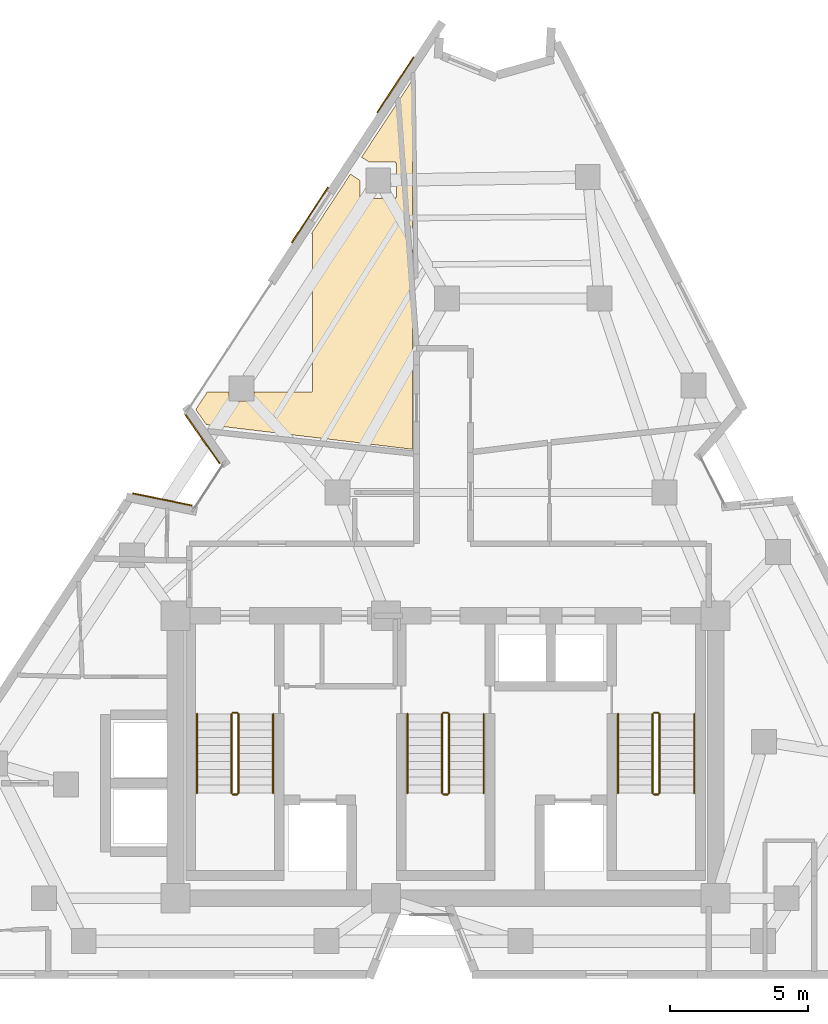
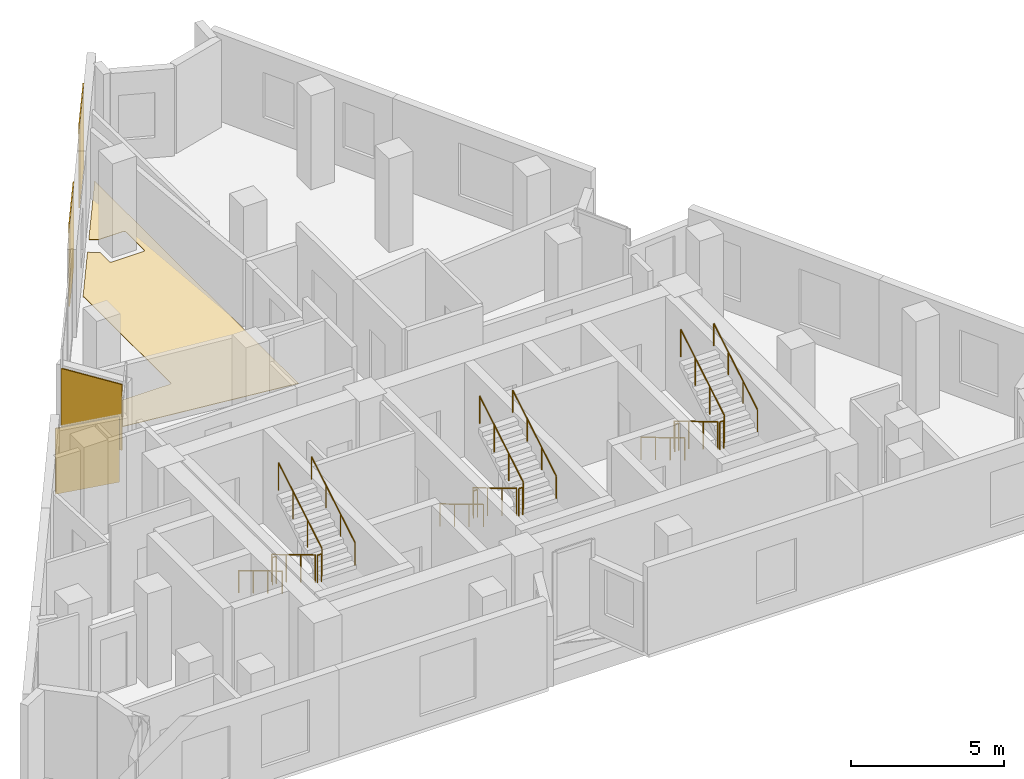
# One storey, part 8 of 8: 18 railings, 5 coverings.
"""IFC4 building model written with IfcOpenShell, lengths in metres."""

from ifc_helpers import new_model, si_unit, direction, frame, origin, origin_2d, place, context, subcontext, project, spatial, polyline, rectangle, circle, outline, extrude, material, layer, layer_set, type_object, element, save


model = new_model("IFC4")

# Units and contexts
model_context = context("Model", 3, precision=1e-05, world=origin(), true_north=direction((0.0, 1.0)))
body_context = subcontext(model_context, "Body", "Model", "MODEL_VIEW")
ifc_project = project(units=[si_unit("LENGTHUNIT", "METRE"), si_unit("AREAUNIT", "SQUARE_METRE"), si_unit("VOLUMEUNIT", "CUBIC_METRE"), si_unit("PLANEANGLEUNIT", "RADIAN"), si_unit("MASSUNIT", "GRAM", prefix="KILO")], contexts=[model_context])

# Site, building, storey
site_placement = place(None, origin())
site = spatial("IfcSite", under=ifc_project, at=site_placement, CompositionType="ELEMENT")
building_placement = place(site_placement, origin())
building = spatial("IfcBuilding", under=site, at=building_placement, Name="Almagre Mirador Tower", CompositionType="ELEMENT")
storey_placement = place(building_placement, frame((0.0, 0.0, 240.75)))
storey = spatial("IfcBuildingStorey", under=building, at=storey_placement, Name="L62", CompositionType="ELEMENT", Elevation=240.75)

# Coverings
ifc_material_1 = material(Name="Almagre terracotta architectural cladding", Category="masonry")
ifc_layer_1 = layer(ifc_material_1, 0.044921875)
ifc_layer_set_1 = layer_set([ifc_layer_1], Name="Almagre terracotta architectural cladding")
covering_type_1 = type_object("IfcCoveringType", Name="COV-CLAD-ALMAGRE", PredefinedType="CLADDING", material=ifc_layer_set_1)
covering_1_placement = place(storey_placement, frame((27.07470703125, 18.947998046875, 0.10009765625), z_axis=(0.0, 0.0, 1.0), x_axis=(0.979501484897, -0.201436940713, 0.0)))
element("IfcCovering", 1, at=covering_1_placement, inside=storey, type_object=covering_type_1, Name="L62 almagre terracotta pier cladding", PredefinedType="CLADDING", context=body_context, shape_type="SweptSolid", body=[
    extrude(rectangle(XDim=2.193115234375, YDim=0.044921875, at=origin_2d()), origin(), (0.0, 0.0, 1.0), 2.625),
])
covering_2_placement = place(storey_placement, frame((28.515625, 21.1416015625, 0.10009765625), z_axis=(0.0, 0.0, 1.0), x_axis=(-0.573890925866, 0.818931746367, 0.0)))
element("IfcCovering", 2, at=covering_2_placement, inside=storey, type_object=covering_type_1, Name="L62 almagre terracotta pier cladding", PredefinedType="CLADDING", context=body_context, shape_type="SweptSolid", body=[
    extrude(rectangle(XDim=2.194091796875, YDim=0.044921875, at=origin_2d()), origin(), (0.0, 0.0, 1.0), 2.625),
])
for number, where, z_axis, x_axis, name in (
    (3, (32.404296875, 29.21728515625, 0.10009765625), (0.0, 0.0, 1.0), (0.549051992844, 0.835788196347, 0.0), "L62 almagre terracotta pier cladding"),
    (4, (35.49267578125, 33.918212890625, 0.10009765625), (0.0, 0.0, 1.0), (0.549066580017, 0.835778613455, 0.0), "L62 almagre terracotta pier cladding"),
):
    element("IfcCovering", number, at=place(storey_placement, frame(where, z_axis=z_axis, x_axis=x_axis)), inside=storey, type_object=covering_type_1, Name=name, PredefinedType="CLADDING", context=body_context, shape_type="SweptSolid", body=[
        extrude(rectangle(XDim=2.39990234375, YDim=0.044921875, at=origin_2d()), origin(), (0.0, 0.0, 1.0), 3.300048828125),
    ])
ifc_material_2 = material(Name="Engineered white oak flooring", Category="wood")
ifc_layer_2 = layer(ifc_material_2, 0.01806640625)
ifc_layer_set_2 = layer_set([ifc_layer_2], Name="Engineered white oak flooring")
covering_type_2 = type_object("IfcCoveringType", Name="COV-FLR-OAK-18", PredefinedType="FLOORING", material=ifc_layer_set_2)
covering_3_placement = place(storey_placement, origin())
element("IfcCovering", 5, at=covering_3_placement, inside=storey, type_object=covering_type_2, Name="L62 L62 Residents Reading Gallery UH-ST finish flooring", PredefinedType="FLOORING", context=body_context, shape_type="SweptSolid", body=[
    extrude(outline(polyline([(29.47412109375, 22.820068359375), (29.47412109375, 22.493896484375), (30.384033203125, 22.493896484375), (30.384033203125, 22.820068359375), (32.469970703125, 22.820068359375), (32.469970703125, 22.830078125), (32.47998046875, 22.830078125), (32.47998046875, 22.840087890625), (32.489990234375, 22.840087890625), (32.489990234375, 28.550048828125), (32.4599609375, 28.550048828125), (32.4599609375, 28.552978515625), (33.863037109375, 30.69091796875), (34.2099609375, 30.4599609375), (34.2099609375, 29.840087890625), (34.239990234375, 29.840087890625), (34.239990234375, 29.81005859375), (35.5, 29.81005859375), (35.5, 29.840087890625), (35.530029296875, 29.840087890625), (35.530029296875, 31.10009765625), (35.5, 31.10009765625), (35.5, 31.1298828125), (34.534912109375, 31.1298828125), (34.26806640625, 31.303955078125), (34.625, 31.847900390625), (36.10009765625, 34.089111328125), (36.10009765625, 20.759033203125), (32.9580078125, 21.138916015625), (32.35791015625, 21.208984375), (28.6640625, 21.65087890625), (28.281005859375, 22.193115234375), (28.69091796875, 22.820068359375), (29.47412109375, 22.820068359375)])), origin(), (0.0, 0.0, 1.0), 0.01806640625),
])

# Railings
ifc_material_3 = material(Name="Painted galvanized steel", Category="steel")
railing_type_1 = type_object("IfcRailingType", Name="RLG-GRD-1100", PredefinedType="GUARDRAIL", material=ifc_material_3)
railing_1_placement = place(storey_placement, frame((29.574951171875, 11.199951171875, 0.17041015625)))
element("IfcRailing", 6, at=railing_1_placement, inside=storey, type_object=railing_type_1, Name="L62 ST-1 stair guard 1", PredefinedType="GUARDRAIL", context=body_context, shape_type="SweptSolid", body=[
    extrude(circle(Radius=0.02392578125, at=origin_2d()), frame((0.0, 0.0, 1.09619140625), z_axis=(0.0, -0.858199205511, 0.513316786848), x_axis=(1.0, 0.0, 0.0)), (0.0, 0.0, 1.0), 3.32080078125),
    extrude(circle(Radius=0.02099609375, at=origin_2d()), origin(), (0.0, 0.0, 1.0), 1.072021484375),
    extrude(circle(Radius=0.02099609375, at=origin_2d()), frame((0.0, -0.949951171875, 0.568115234375)), (0.0, 0.0, 1.0), 1.072021484375),
    extrude(circle(Radius=0.02099609375, at=origin_2d()), frame((0.0, -1.89990234375, 1.136474609375)), (0.0, 0.0, 1.0), 1.072021484375),
    extrude(circle(Radius=0.02099609375, at=origin_2d()), frame((0.0, -2.849853515625, 1.70458984375)), (0.0, 0.0, 1.0), 1.072021484375),
])
railing_2_placement = place(storey_placement, frame((29.625, 8.300048828125, 1.875)))
element("IfcRailing", 7, at=railing_2_placement, inside=storey, type_object=railing_type_1, Name="L62 ST-1 stair guard 2", PredefinedType="GUARDRAIL", context=body_context, shape_type="SweptSolid", body=[
    extrude(circle(Radius=0.02392578125, at=origin_2d()), frame((0.0, 0.0, 1.09619140625), z_axis=(1.0, 0.0, 0.0), x_axis=(0.0, 1.0, 0.0)), (0.0, 0.0, 1.0), 0.14990234375),
    extrude(circle(Radius=0.02099609375, at=origin_2d()), origin(), (0.0, 0.0, 1.0), 1.072021484375),
    extrude(circle(Radius=0.02099609375, at=origin_2d()), frame((0.14990234375, 0.0, 0.0)), (0.0, 0.0, 1.0), 1.072021484375),
])
railing_3_placement = place(storey_placement, frame((29.824951171875, 8.35009765625, 2.04541015625)))
element("IfcRailing", 8, at=railing_3_placement, inside=storey, type_object=railing_type_1, Name="L62 ST-1 stair guard 3", PredefinedType="GUARDRAIL", context=body_context, shape_type="SweptSolid", body=[
    extrude(circle(Radius=0.02392578125, at=origin_2d()), frame((0.0, 0.0, 1.09619140625), z_axis=(0.0, 0.858199205511, 0.513316786848), x_axis=(-1.0, 0.0, 0.0)), (0.0, 0.0, 1.0), 3.32080078125),
    extrude(circle(Radius=0.02099609375, at=origin_2d()), origin(), (0.0, 0.0, 1.0), 1.072021484375),
    extrude(circle(Radius=0.02099609375, at=origin_2d()), frame((0.0, 0.949951171875, 0.568115234375)), (0.0, 0.0, 1.0), 1.072021484375),
    extrude(circle(Radius=0.02099609375, at=origin_2d()), frame((0.0, 1.89990234375, 1.136474609375)), (0.0, 0.0, 1.0), 1.072021484375),
    extrude(circle(Radius=0.02099609375, at=origin_2d()), frame((0.0, 2.849853515625, 1.70458984375)), (0.0, 0.0, 1.0), 1.072021484375),
])
railing_4_placement = place(storey_placement, frame((29.625, 11.25, 0.0)))
element("IfcRailing", 9, at=railing_4_placement, inside=storey, type_object=railing_type_1, Name="L62 ST-1 stair guard 4", PredefinedType="GUARDRAIL", context=body_context, shape_type="SweptSolid", body=[
    extrude(circle(Radius=0.02392578125, at=origin_2d()), frame((0.0, 0.0, 1.09619140625), z_axis=(1.0, 0.0, 0.0), x_axis=(0.0, 1.0, 0.0)), (0.0, 0.0, 1.0), 0.14990234375),
    extrude(circle(Radius=0.02099609375, at=origin_2d()), origin(), (0.0, 0.0, 1.0), 1.072021484375),
    extrude(circle(Radius=0.02099609375, at=origin_2d()), frame((0.14990234375, 0.0, 0.0)), (0.0, 0.0, 1.0), 1.072021484375),
])
railing_5_placement = place(storey_placement, frame((37.175048828125, 11.199951171875, 0.17041015625)))
element("IfcRailing", 10, at=railing_5_placement, inside=storey, type_object=railing_type_1, Name="L62 ST-2 stair guard 1", PredefinedType="GUARDRAIL", context=body_context, shape_type="SweptSolid", body=[
    extrude(circle(Radius=0.02392578125, at=origin_2d()), frame((0.0, 0.0, 1.09619140625), z_axis=(0.0, -0.858199205511, 0.513316786848), x_axis=(1.0, 0.0, 0.0)), (0.0, 0.0, 1.0), 3.32080078125),
    extrude(circle(Radius=0.02099609375, at=origin_2d()), origin(), (0.0, 0.0, 1.0), 1.072021484375),
    extrude(circle(Radius=0.02099609375, at=origin_2d()), frame((0.0, -0.949951171875, 0.568115234375)), (0.0, 0.0, 1.0), 1.072021484375),
    extrude(circle(Radius=0.02099609375, at=origin_2d()), frame((0.0, -1.89990234375, 1.136474609375)), (0.0, 0.0, 1.0), 1.072021484375),
    extrude(circle(Radius=0.02099609375, at=origin_2d()), frame((0.0, -2.849853515625, 1.70458984375)), (0.0, 0.0, 1.0), 1.072021484375),
])
railing_6_placement = place(storey_placement, frame((37.22509765625, 8.300048828125, 1.875)))
element("IfcRailing", 11, at=railing_6_placement, inside=storey, type_object=railing_type_1, Name="L62 ST-2 stair guard 2", PredefinedType="GUARDRAIL", context=body_context, shape_type="SweptSolid", body=[
    extrude(circle(Radius=0.02392578125, at=origin_2d()), frame((0.0, 0.0, 1.09619140625), z_axis=(1.0, 0.0, 0.0), x_axis=(0.0, 1.0, 0.0)), (0.0, 0.0, 1.0), 0.14990234375),
    extrude(circle(Radius=0.02099609375, at=origin_2d()), origin(), (0.0, 0.0, 1.0), 1.072021484375),
    extrude(circle(Radius=0.02099609375, at=origin_2d()), frame((0.14990234375, 0.0, 0.0)), (0.0, 0.0, 1.0), 1.072021484375),
])
railing_7_placement = place(storey_placement, frame((37.425048828125, 8.35009765625, 2.04541015625)))
element("IfcRailing", 12, at=railing_7_placement, inside=storey, type_object=railing_type_1, Name="L62 ST-2 stair guard 3", PredefinedType="GUARDRAIL", context=body_context, shape_type="SweptSolid", body=[
    extrude(circle(Radius=0.02392578125, at=origin_2d()), frame((0.0, 0.0, 1.09619140625), z_axis=(0.0, 0.858199205511, 0.513316786848), x_axis=(-1.0, 0.0, 0.0)), (0.0, 0.0, 1.0), 3.32080078125),
    extrude(circle(Radius=0.02099609375, at=origin_2d()), origin(), (0.0, 0.0, 1.0), 1.072021484375),
    extrude(circle(Radius=0.02099609375, at=origin_2d()), frame((0.0, 0.949951171875, 0.568115234375)), (0.0, 0.0, 1.0), 1.072021484375),
    extrude(circle(Radius=0.02099609375, at=origin_2d()), frame((0.0, 1.89990234375, 1.136474609375)), (0.0, 0.0, 1.0), 1.072021484375),
    extrude(circle(Radius=0.02099609375, at=origin_2d()), frame((0.0, 2.849853515625, 1.70458984375)), (0.0, 0.0, 1.0), 1.072021484375),
])
railing_8_placement = place(storey_placement, frame((37.22509765625, 11.25, 0.0)))
element("IfcRailing", 13, at=railing_8_placement, inside=storey, type_object=railing_type_1, Name="L62 ST-2 stair guard 4", PredefinedType="GUARDRAIL", context=body_context, shape_type="SweptSolid", body=[
    extrude(circle(Radius=0.02392578125, at=origin_2d()), frame((0.0, 0.0, 1.09619140625), z_axis=(1.0, 0.0, 0.0), x_axis=(0.0, 1.0, 0.0)), (0.0, 0.0, 1.0), 0.14990234375),
    extrude(circle(Radius=0.02099609375, at=origin_2d()), origin(), (0.0, 0.0, 1.0), 1.072021484375),
    extrude(circle(Radius=0.02099609375, at=origin_2d()), frame((0.14990234375, 0.0, 0.0)), (0.0, 0.0, 1.0), 1.072021484375),
])
railing_9_placement = place(storey_placement, frame((44.77490234375, 11.199951171875, 0.17041015625)))
element("IfcRailing", 14, at=railing_9_placement, inside=storey, type_object=railing_type_1, Name="L62 ST-3 stair guard 1", PredefinedType="GUARDRAIL", context=body_context, shape_type="SweptSolid", body=[
    extrude(circle(Radius=0.02392578125, at=origin_2d()), frame((0.0, 0.0, 1.09619140625), z_axis=(0.0, -0.858199205511, 0.513316786848), x_axis=(1.0, 0.0, 0.0)), (0.0, 0.0, 1.0), 3.32080078125),
    extrude(circle(Radius=0.02099609375, at=origin_2d()), origin(), (0.0, 0.0, 1.0), 1.072021484375),
    extrude(circle(Radius=0.02099609375, at=origin_2d()), frame((0.0, -0.949951171875, 0.568115234375)), (0.0, 0.0, 1.0), 1.072021484375),
    extrude(circle(Radius=0.02099609375, at=origin_2d()), frame((0.0, -1.89990234375, 1.136474609375)), (0.0, 0.0, 1.0), 1.072021484375),
    extrude(circle(Radius=0.02099609375, at=origin_2d()), frame((0.0, -2.849853515625, 1.70458984375)), (0.0, 0.0, 1.0), 1.072021484375),
])
railing_10_placement = place(storey_placement, frame((44.824951171875, 8.300048828125, 1.875)))
element("IfcRailing", 15, at=railing_10_placement, inside=storey, type_object=railing_type_1, Name="L62 ST-3 stair guard 2", PredefinedType="GUARDRAIL", context=body_context, shape_type="SweptSolid", body=[
    extrude(circle(Radius=0.02392578125, at=origin_2d()), frame((0.0, 0.0, 1.09619140625), z_axis=(1.0, 0.0, 0.0), x_axis=(0.0, 1.0, 0.0)), (0.0, 0.0, 1.0), 0.150146484375),
    extrude(circle(Radius=0.02099609375, at=origin_2d()), origin(), (0.0, 0.0, 1.0), 1.072021484375),
    extrude(circle(Radius=0.02099609375, at=origin_2d()), frame((0.150146484375, 0.0, 0.0)), (0.0, 0.0, 1.0), 1.072021484375),
])
railing_11_placement = place(storey_placement, frame((45.02490234375, 8.35009765625, 2.04541015625)))
element("IfcRailing", 16, at=railing_11_placement, inside=storey, type_object=railing_type_1, Name="L62 ST-3 stair guard 3", PredefinedType="GUARDRAIL", context=body_context, shape_type="SweptSolid", body=[
    extrude(circle(Radius=0.02392578125, at=origin_2d()), frame((0.0, 0.0, 1.09619140625), z_axis=(0.0, 0.858199205511, 0.513316786848), x_axis=(-1.0, 0.0, 0.0)), (0.0, 0.0, 1.0), 3.32080078125),
    extrude(circle(Radius=0.02099609375, at=origin_2d()), origin(), (0.0, 0.0, 1.0), 1.072021484375),
    extrude(circle(Radius=0.02099609375, at=origin_2d()), frame((0.0, 0.949951171875, 0.568115234375)), (0.0, 0.0, 1.0), 1.072021484375),
    extrude(circle(Radius=0.02099609375, at=origin_2d()), frame((0.0, 1.89990234375, 1.136474609375)), (0.0, 0.0, 1.0), 1.072021484375),
    extrude(circle(Radius=0.02099609375, at=origin_2d()), frame((0.0, 2.849853515625, 1.70458984375)), (0.0, 0.0, 1.0), 1.072021484375),
])
railing_12_placement = place(storey_placement, frame((44.824951171875, 11.25, 0.0)))
element("IfcRailing", 17, at=railing_12_placement, inside=storey, type_object=railing_type_1, Name="L62 ST-3 stair guard 4", PredefinedType="GUARDRAIL", context=body_context, shape_type="SweptSolid", body=[
    extrude(circle(Radius=0.02392578125, at=origin_2d()), frame((0.0, 0.0, 1.09619140625), z_axis=(1.0, 0.0, 0.0), x_axis=(0.0, 1.0, 0.0)), (0.0, 0.0, 1.0), 0.150146484375),
    extrude(circle(Radius=0.02099609375, at=origin_2d()), origin(), (0.0, 0.0, 1.0), 1.072021484375),
    extrude(circle(Radius=0.02099609375, at=origin_2d()), frame((0.150146484375, 0.0, 0.0)), (0.0, 0.0, 1.0), 1.072021484375),
])
ifc_material_4 = material(Name="Brushed stainless steel", Category="steel")
railing_type_2 = type_object("IfcRailingType", Name="RLG-HND-915", PredefinedType="HANDRAIL", material=ifc_material_4)
railing_13_placement = place(storey_placement, frame((28.324951171875, 11.199951171875, 0.17041015625)))
element("IfcRailing", 18, at=railing_13_placement, inside=storey, type_object=railing_type_2, Name="L62 ST-1 stair handrail 1", PredefinedType="HANDRAIL", context=body_context, shape_type="SweptSolid", body=[
    extrude(circle(Radius=0.02392578125, at=origin_2d()), frame((0.0, 0.0, 0.89111328125), z_axis=(0.0, -0.858199205511, 0.513316786848), x_axis=(1.0, 0.0, 0.0)), (0.0, 0.0, 1.0), 3.32080078125),
    extrude(circle(Radius=0.02099609375, at=origin_2d()), origin(), (0.0, 0.0, 1.0), 0.866943359375),
    extrude(circle(Radius=0.02099609375, at=origin_2d()), frame((0.0, -0.949951171875, 0.568115234375)), (0.0, 0.0, 1.0), 0.866943359375),
    extrude(circle(Radius=0.02099609375, at=origin_2d()), frame((0.0, -1.89990234375, 1.136474609375)), (0.0, 0.0, 1.0), 0.866943359375),
    extrude(circle(Radius=0.02099609375, at=origin_2d()), frame((0.0, -2.849853515625, 1.70458984375)), (0.0, 0.0, 1.0), 0.866943359375),
])
railing_14_placement = place(storey_placement, frame((31.074951171875, 8.35009765625, 2.04541015625)))
element("IfcRailing", 19, at=railing_14_placement, inside=storey, type_object=railing_type_2, Name="L62 ST-1 stair handrail 2", PredefinedType="HANDRAIL", context=body_context, shape_type="SweptSolid", body=[
    extrude(circle(Radius=0.02392578125, at=origin_2d()), frame((0.0, 0.0, 0.89111328125), z_axis=(0.0, 0.858199205511, 0.513316786848), x_axis=(-1.0, 0.0, 0.0)), (0.0, 0.0, 1.0), 3.32080078125),
    extrude(circle(Radius=0.02099609375, at=origin_2d()), origin(), (0.0, 0.0, 1.0), 0.866943359375),
    extrude(circle(Radius=0.02099609375, at=origin_2d()), frame((0.0, 0.949951171875, 0.568115234375)), (0.0, 0.0, 1.0), 0.866943359375),
    extrude(circle(Radius=0.02099609375, at=origin_2d()), frame((0.0, 1.89990234375, 1.136474609375)), (0.0, 0.0, 1.0), 0.866943359375),
    extrude(circle(Radius=0.02099609375, at=origin_2d()), frame((0.0, 2.849853515625, 1.70458984375)), (0.0, 0.0, 1.0), 0.866943359375),
])
railing_15_placement = place(storey_placement, frame((35.925048828125, 11.199951171875, 0.17041015625)))
element("IfcRailing", 20, at=railing_15_placement, inside=storey, type_object=railing_type_2, Name="L62 ST-2 stair handrail 1", PredefinedType="HANDRAIL", context=body_context, shape_type="SweptSolid", body=[
    extrude(circle(Radius=0.02392578125, at=origin_2d()), frame((0.0, 0.0, 0.89111328125), z_axis=(0.0, -0.858199205511, 0.513316786848), x_axis=(1.0, 0.0, 0.0)), (0.0, 0.0, 1.0), 3.32080078125),
    extrude(circle(Radius=0.02099609375, at=origin_2d()), origin(), (0.0, 0.0, 1.0), 0.866943359375),
    extrude(circle(Radius=0.02099609375, at=origin_2d()), frame((0.0, -0.949951171875, 0.568115234375)), (0.0, 0.0, 1.0), 0.866943359375),
    extrude(circle(Radius=0.02099609375, at=origin_2d()), frame((0.0, -1.89990234375, 1.136474609375)), (0.0, 0.0, 1.0), 0.866943359375),
    extrude(circle(Radius=0.02099609375, at=origin_2d()), frame((0.0, -2.849853515625, 1.70458984375)), (0.0, 0.0, 1.0), 0.866943359375),
])
railing_16_placement = place(storey_placement, frame((38.675048828125, 8.35009765625, 2.04541015625)))
element("IfcRailing", 21, at=railing_16_placement, inside=storey, type_object=railing_type_2, Name="L62 ST-2 stair handrail 2", PredefinedType="HANDRAIL", context=body_context, shape_type="SweptSolid", body=[
    extrude(circle(Radius=0.02392578125, at=origin_2d()), frame((0.0, 0.0, 0.89111328125), z_axis=(0.0, 0.858199205511, 0.513316786848), x_axis=(-1.0, 0.0, 0.0)), (0.0, 0.0, 1.0), 3.32080078125),
    extrude(circle(Radius=0.02099609375, at=origin_2d()), origin(), (0.0, 0.0, 1.0), 0.866943359375),
    extrude(circle(Radius=0.02099609375, at=origin_2d()), frame((0.0, 0.949951171875, 0.568115234375)), (0.0, 0.0, 1.0), 0.866943359375),
    extrude(circle(Radius=0.02099609375, at=origin_2d()), frame((0.0, 1.89990234375, 1.136474609375)), (0.0, 0.0, 1.0), 0.866943359375),
    extrude(circle(Radius=0.02099609375, at=origin_2d()), frame((0.0, 2.849853515625, 1.70458984375)), (0.0, 0.0, 1.0), 0.866943359375),
])
railing_17_placement = place(storey_placement, frame((43.52490234375, 11.199951171875, 0.17041015625)))
element("IfcRailing", 22, at=railing_17_placement, inside=storey, type_object=railing_type_2, Name="L62 ST-3 stair handrail 1", PredefinedType="HANDRAIL", context=body_context, shape_type="SweptSolid", body=[
    extrude(circle(Radius=0.02392578125, at=origin_2d()), frame((0.0, 0.0, 0.89111328125), z_axis=(0.0, -0.858199205511, 0.513316786848), x_axis=(1.0, 0.0, 0.0)), (0.0, 0.0, 1.0), 3.32080078125),
    extrude(circle(Radius=0.02099609375, at=origin_2d()), origin(), (0.0, 0.0, 1.0), 0.866943359375),
    extrude(circle(Radius=0.02099609375, at=origin_2d()), frame((0.0, -0.949951171875, 0.568115234375)), (0.0, 0.0, 1.0), 0.866943359375),
    extrude(circle(Radius=0.02099609375, at=origin_2d()), frame((0.0, -1.89990234375, 1.136474609375)), (0.0, 0.0, 1.0), 0.866943359375),
    extrude(circle(Radius=0.02099609375, at=origin_2d()), frame((0.0, -2.849853515625, 1.70458984375)), (0.0, 0.0, 1.0), 0.866943359375),
])
railing_18_placement = place(storey_placement, frame((46.27490234375, 8.35009765625, 2.04541015625)))
element("IfcRailing", 23, at=railing_18_placement, inside=storey, type_object=railing_type_2, Name="L62 ST-3 stair handrail 2", PredefinedType="HANDRAIL", context=body_context, shape_type="SweptSolid", body=[
    extrude(circle(Radius=0.02392578125, at=origin_2d()), frame((0.0, 0.0, 0.89111328125), z_axis=(0.0, 0.858199205511, 0.513316786848), x_axis=(-1.0, 0.0, 0.0)), (0.0, 0.0, 1.0), 3.32080078125),
    extrude(circle(Radius=0.02099609375, at=origin_2d()), origin(), (0.0, 0.0, 1.0), 0.866943359375),
    extrude(circle(Radius=0.02099609375, at=origin_2d()), frame((0.0, 0.949951171875, 0.568115234375)), (0.0, 0.0, 1.0), 0.866943359375),
    extrude(circle(Radius=0.02099609375, at=origin_2d()), frame((0.0, 1.89990234375, 1.136474609375)), (0.0, 0.0, 1.0), 0.866943359375),
    extrude(circle(Radius=0.02099609375, at=origin_2d()), frame((0.0, 2.849853515625, 1.70458984375)), (0.0, 0.0, 1.0), 0.866943359375),
])

save(model, "model.ifc")
